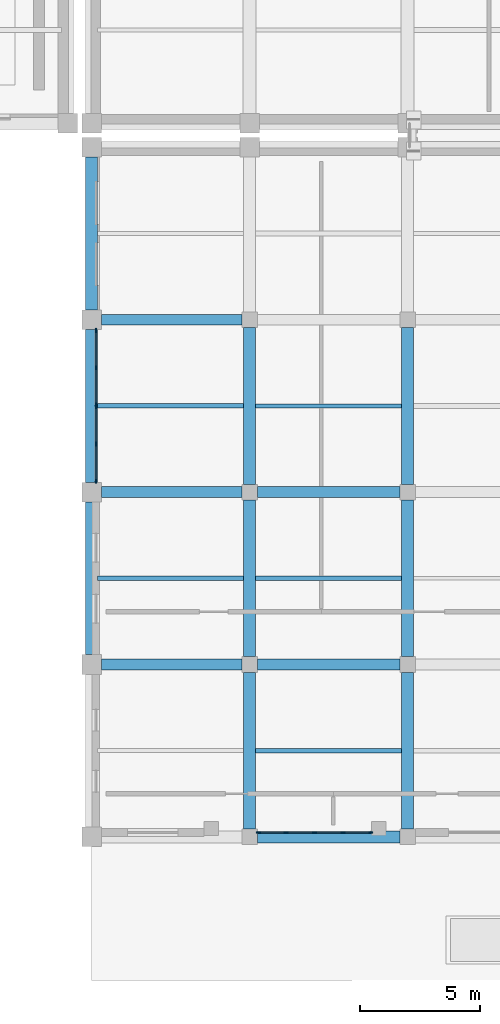
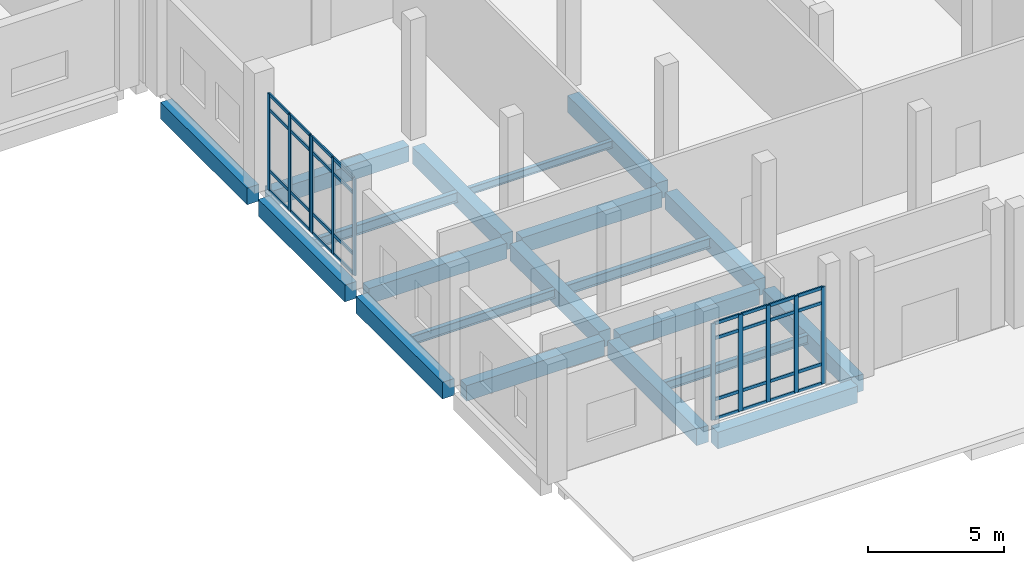
# One storey, part 12 of 79: 43 members, 20 beams, 3 elements without a shape of their own.
"""IFC4 building model written with IfcOpenShell, lengths in metres."""

from ifc_helpers import new_model, si_unit, direction, frame, origin, origin_2d, place, context, subcontext, project, spatial, rectangle, i_section, extrude, material, layer, layer_set, material_profile, profile_set, type_object, element, aggregate, save


model = new_model("IFC4")

# Units and contexts
model_context = context("Model", 3, precision=1e-05, world=origin(), true_north=direction((0.0, 1.0)))
body_context = subcontext(model_context, "Body", "Model", "MODEL_VIEW")
ifc_project = project(units=[si_unit("LENGTHUNIT", "METRE"), si_unit("AREAUNIT", "SQUARE_METRE"), si_unit("VOLUMEUNIT", "CUBIC_METRE"), si_unit("PLANEANGLEUNIT", "RADIAN"), si_unit("MASSUNIT", "GRAM", prefix="KILO")], contexts=[model_context])

# Site, building, storey
site_placement = place(None, origin())
site = spatial("IfcSite", under=ifc_project, at=site_placement, CompositionType="ELEMENT")
building_placement = place(site_placement, origin())
building = spatial("IfcBuilding", under=site, at=building_placement, Name="Kelarvand Opera House", CompositionType="ELEMENT")
storey_placement = place(building_placement, origin())
storey = spatial("IfcBuildingStorey", under=building, at=storey_placement, Name="L00", CompositionType="ELEMENT", Elevation=0.0)

# Curtain wall, members
ifc_material_1 = material(Name="Thermally broken aluminium and low-E glazing", Category="aluminium")
ifc_layer_1 = layer(ifc_material_1, 0.179931640625, Name="Thermally broken aluminium and low-E glazing", Category="aluminium")
ifc_layer_set_1 = layer_set([ifc_layer_1], Name="Thermally broken aluminium and low-E glazing")
curtain_wall_type_1 = type_object("IfcCurtainWallType", Name="Unitised Low-E Curtain Wall 4755x4350 Mod 1350 CWF-52", PredefinedType="USERDEFINED", material=ifc_layer_set_1)
curtain_wall_1_placement = place(storey_placement, origin())
curtain_wall_1 = element("IfcCurtainWall", 1, at=curtain_wall_1_placement, inside=storey, type_object=curtain_wall_type_1, Name="V6 L00 Curtain Wall CWF-52 (199)", ObjectType="UNITISED CURTAIN WALL", PredefinedType="USERDEFINED")
ifc_material_2 = material(Name="Thermally broken anodised aluminium", Category="aluminium")
ifc_material_profile_1 = material_profile(ifc_material_2, rectangle(XDim=0.06494140625, YDim=0.179931640625, at=origin_2d()), Name="ALU MULLION 65x180", Category="aluminium")
ifc_profile_set_1 = profile_set([ifc_material_profile_1], Name="Thermally broken anodised aluminium")
member_type_1 = type_object("IfcMemberType", Name="Curtain Wall Mullion 65x180 Aluminium", PredefinedType="MULLION", material=ifc_profile_set_1)
member_1_placement = place(storey_placement, frame((100.657470703125, 9.179931640625, 0.0), z_axis=(0.0, 0.0, 1.0), x_axis=(0.0, -1.0, 0.0)))
member_1 = element("IfcMember", 2, at=member_1_placement, type_object=member_type_1, Name="CWF-52 mullion 1", PredefinedType="MULLION", context=body_context, shape_type="SweptSolid", body=[
    extrude(rectangle(XDim=0.06494140625, YDim=0.179931640625, at=origin_2d()), origin(), (0.0, 0.0, 1.0), 4.35009765625),
])
member_2_placement = place(storey_placement, frame((99.501220703125, 9.179931640625, 0.0), z_axis=(0.0, 0.0, 1.0), x_axis=(0.0, -1.0, 0.0)))
member_2 = element("IfcMember", 3, at=member_2_placement, type_object=member_type_1, Name="CWF-52 mullion 2", PredefinedType="MULLION", context=body_context, shape_type="SweptSolid", body=[
    extrude(rectangle(XDim=0.06494140625, YDim=0.179931640625, at=origin_2d()), origin(), (0.0, 0.0, 1.0), 4.35009765625),
])
member_3_placement = place(storey_placement, frame((98.3125, 9.179931640625, 0.0), z_axis=(0.0, 0.0, 1.0), x_axis=(0.0, -1.0, 0.0)))
member_3 = element("IfcMember", 4, at=member_3_placement, type_object=member_type_1, Name="CWF-52 mullion 3", PredefinedType="MULLION", context=body_context, shape_type="SweptSolid", body=[
    extrude(rectangle(XDim=0.06494140625, YDim=0.179931640625, at=origin_2d()), origin(), (0.0, 0.0, 1.0), 4.35009765625),
])
member_4_placement = place(storey_placement, frame((97.123779296875, 9.179931640625, 0.0), z_axis=(0.0, 0.0, 1.0), x_axis=(0.0, -1.0, 0.0)))
member_4 = element("IfcMember", 5, at=member_4_placement, type_object=member_type_1, Name="CWF-52 mullion 4", PredefinedType="MULLION", context=body_context, shape_type="SweptSolid", body=[
    extrude(rectangle(XDim=0.06494140625, YDim=0.179931640625, at=origin_2d()), origin(), (0.0, 0.0, 1.0), 4.35009765625),
])
member_5_placement = place(storey_placement, frame((95.967529296875, 9.179931640625, 0.0), z_axis=(0.0, 0.0, 1.0), x_axis=(0.0, -1.0, 0.0)))
member_5 = element("IfcMember", 6, at=member_5_placement, type_object=member_type_1, Name="CWF-52 mullion 5", PredefinedType="MULLION", context=body_context, shape_type="SweptSolid", body=[
    extrude(rectangle(XDim=0.06494140625, YDim=0.179931640625, at=origin_2d()), origin(), (0.0, 0.0, 1.0), 4.35009765625),
])

ifc_layer_2 = layer(ifc_material_1, 0.179931640625, Name="Thermally broken aluminium and low-E glazing", Category="aluminium")
ifc_layer_set_2 = layer_set([ifc_layer_2], Name="Thermally broken aluminium and low-E glazing")
curtain_wall_type_2 = type_object("IfcCurtainWallType", Name="Unitised Low-E Curtain Wall 3176x4350 Mod 1350 CWF-09", PredefinedType="USERDEFINED", material=ifc_layer_set_2)
curtain_wall_2_placement = place(storey_placement, origin())
curtain_wall_2 = element("IfcCurtainWall", 7, at=curtain_wall_2_placement, inside=storey, type_object=curtain_wall_type_2, Name="V6 L00 Curtain Wall CWF-09 (200)", ObjectType="UNITISED CURTAIN WALL", PredefinedType="USERDEFINED")
member_6_placement = place(storey_placement, frame((89.179931640625, 23.8525390625, 0.0), z_axis=(0.0, 0.0, 1.0), x_axis=(-1.0, 0.0, 0.0)))
member_6 = element("IfcMember", 8, at=member_6_placement, type_object=member_type_1, Name="CWF-09 mullion 1", PredefinedType="MULLION", context=body_context, shape_type="SweptSolid", body=[
    extrude(rectangle(XDim=0.06494140625, YDim=0.179931640625, at=origin_2d()), origin(), (0.0, 0.0, 1.0), 4.35009765625),
])
member_7_placement = place(storey_placement, frame((89.179931640625, 25.407958984375, 0.0), z_axis=(0.0, 0.0, 1.0), x_axis=(-1.0, 0.0, 0.0)))
member_7 = element("IfcMember", 9, at=member_7_placement, type_object=member_type_1, Name="CWF-09 mullion 2", PredefinedType="MULLION", context=body_context, shape_type="SweptSolid", body=[
    extrude(rectangle(XDim=0.06494140625, YDim=0.179931640625, at=origin_2d()), origin(), (0.0, 0.0, 1.0), 4.35009765625),
])
member_8_placement = place(storey_placement, frame((89.179931640625, 26.96337890625, 0.0), z_axis=(0.0, 0.0, 1.0), x_axis=(-1.0, 0.0, 0.0)))
member_8 = element("IfcMember", 10, at=member_8_placement, type_object=member_type_1, Name="CWF-09 mullion 3", PredefinedType="MULLION", context=body_context, shape_type="SweptSolid", body=[
    extrude(rectangle(XDim=0.06494140625, YDim=0.179931640625, at=origin_2d()), origin(), (0.0, 0.0, 1.0), 4.35009765625),
])

curtain_wall_3_placement = place(storey_placement, origin())
curtain_wall_3 = element("IfcCurtainWall", 11, at=curtain_wall_3_placement, inside=storey, type_object=curtain_wall_type_2, Name="V6 L00 Curtain Wall CWF-09 (201)", ObjectType="UNITISED CURTAIN WALL", PredefinedType="USERDEFINED")
member_9_placement = place(storey_placement, frame((89.179931640625, 27.032470703125, 0.0), z_axis=(0.0, 0.0, 1.0), x_axis=(-1.0, 0.0, 0.0)))
member_9 = element("IfcMember", 12, at=member_9_placement, type_object=member_type_1, Name="CWF-09 mullion 1", PredefinedType="MULLION", context=body_context, shape_type="SweptSolid", body=[
    extrude(rectangle(XDim=0.06494140625, YDim=0.179931640625, at=origin_2d()), origin(), (0.0, 0.0, 1.0), 4.35009765625),
])
member_10_placement = place(storey_placement, frame((89.179931640625, 28.590087890625, 0.0), z_axis=(0.0, 0.0, 1.0), x_axis=(-1.0, 0.0, 0.0)))
member_10 = element("IfcMember", 13, at=member_10_placement, type_object=member_type_1, Name="CWF-09 mullion 2", PredefinedType="MULLION", context=body_context, shape_type="SweptSolid", body=[
    extrude(rectangle(XDim=0.06494140625, YDim=0.179931640625, at=origin_2d()), origin(), (0.0, 0.0, 1.0), 4.35009765625),
])
member_11_placement = place(storey_placement, frame((89.179931640625, 30.1474609375, 0.0), z_axis=(0.0, 0.0, 1.0), x_axis=(-1.0, 0.0, 0.0)))
member_11 = element("IfcMember", 14, at=member_11_placement, type_object=member_type_1, Name="CWF-09 mullion 3", PredefinedType="MULLION", context=body_context, shape_type="SweptSolid", body=[
    extrude(rectangle(XDim=0.06494140625, YDim=0.179931640625, at=origin_2d()), origin(), (0.0, 0.0, 1.0), 4.35009765625),
])

# Member
ifc_material_profile_2 = material_profile(ifc_material_2, rectangle(XDim=0.06494140625, YDim=0.139892578125, at=origin_2d()), Name="ALU TRANSOM 65x140", Category="aluminium")
ifc_profile_set_2 = profile_set([ifc_material_profile_2], Name="Thermally broken anodised aluminium")
member_type_2 = type_object("IfcMemberType", Name="Curtain Wall Transom 65x140 Aluminium", PredefinedType="USERDEFINED", material=ifc_profile_set_2)
member_12_placement = place(storey_placement, frame((100.625, 9.179931640625, 0.032470703125), z_axis=(-1.0, 0.0, 0.0), x_axis=(0.0, -1.0, 0.0)))
member_12 = element("IfcMember", 15, at=member_12_placement, type_object=member_type_2, Name="CWF-52 transom 1.1", ObjectType="TRANSOM", PredefinedType="USERDEFINED", context=body_context, shape_type="SweptSolid", body=[
    extrude(rectangle(XDim=0.06494140625, YDim=0.139892578125, at=origin_2d()), origin(), (0.0, 0.0, 1.0), 1.09130859375),
])

member_13_placement = place(storey_placement, frame((100.625, 9.179931640625, 0.89990234375), z_axis=(-1.0, 0.0, 0.0), x_axis=(0.0, -1.0, 0.0)))
member_13 = element("IfcMember", 16, at=member_13_placement, type_object=member_type_2, Name="CWF-52 transom 1.2", ObjectType="TRANSOM", PredefinedType="USERDEFINED", context=body_context, shape_type="SweptSolid", body=[
    extrude(rectangle(XDim=0.06494140625, YDim=0.139892578125, at=origin_2d()), origin(), (0.0, 0.0, 1.0), 1.09130859375),
])

member_14_placement = place(storey_placement, frame((100.625, 9.179931640625, 3.64990234375), z_axis=(-1.0, 0.0, 0.0), x_axis=(0.0, -1.0, 0.0)))
member_14 = element("IfcMember", 17, at=member_14_placement, type_object=member_type_2, Name="CWF-52 transom 1.3", ObjectType="TRANSOM", PredefinedType="USERDEFINED", context=body_context, shape_type="SweptSolid", body=[
    extrude(rectangle(XDim=0.06494140625, YDim=0.139892578125, at=origin_2d()), origin(), (0.0, 0.0, 1.0), 1.09130859375),
])

member_15_placement = place(storey_placement, frame((100.625, 9.179931640625, 4.3173828125), z_axis=(-1.0, 0.0, 0.0), x_axis=(0.0, -1.0, 0.0)))
member_15 = element("IfcMember", 18, at=member_15_placement, type_object=member_type_2, Name="CWF-52 transom 1.4", ObjectType="TRANSOM", PredefinedType="USERDEFINED", context=body_context, shape_type="SweptSolid", body=[
    extrude(rectangle(XDim=0.06494140625, YDim=0.139892578125, at=origin_2d()), origin(), (0.0, 0.0, 1.0), 1.09130859375),
])

member_16_placement = place(storey_placement, frame((99.46875, 9.179931640625, 0.032470703125), z_axis=(-1.0, 0.0, 0.0), x_axis=(0.0, -1.0, 0.0)))
member_16 = element("IfcMember", 19, at=member_16_placement, type_object=member_type_2, Name="CWF-52 transom 2.1", ObjectType="TRANSOM", PredefinedType="USERDEFINED", context=body_context, shape_type="SweptSolid", body=[
    extrude(rectangle(XDim=0.06494140625, YDim=0.139892578125, at=origin_2d()), origin(), (0.0, 0.0, 1.0), 1.123779296875),
])

member_17_placement = place(storey_placement, frame((99.46875, 9.179931640625, 0.89990234375), z_axis=(-1.0, 0.0, 0.0), x_axis=(0.0, -1.0, 0.0)))
member_17 = element("IfcMember", 20, at=member_17_placement, type_object=member_type_2, Name="CWF-52 transom 2.2", ObjectType="TRANSOM", PredefinedType="USERDEFINED", context=body_context, shape_type="SweptSolid", body=[
    extrude(rectangle(XDim=0.06494140625, YDim=0.139892578125, at=origin_2d()), origin(), (0.0, 0.0, 1.0), 1.123779296875),
])

member_18_placement = place(storey_placement, frame((99.46875, 9.179931640625, 3.64990234375), z_axis=(-1.0, 0.0, 0.0), x_axis=(0.0, -1.0, 0.0)))
member_18 = element("IfcMember", 21, at=member_18_placement, type_object=member_type_2, Name="CWF-52 transom 2.3", ObjectType="TRANSOM", PredefinedType="USERDEFINED", context=body_context, shape_type="SweptSolid", body=[
    extrude(rectangle(XDim=0.06494140625, YDim=0.139892578125, at=origin_2d()), origin(), (0.0, 0.0, 1.0), 1.123779296875),
])

member_19_placement = place(storey_placement, frame((99.46875, 9.179931640625, 4.3173828125), z_axis=(-1.0, 0.0, 0.0), x_axis=(0.0, -1.0, 0.0)))
member_19 = element("IfcMember", 22, at=member_19_placement, type_object=member_type_2, Name="CWF-52 transom 2.4", ObjectType="TRANSOM", PredefinedType="USERDEFINED", context=body_context, shape_type="SweptSolid", body=[
    extrude(rectangle(XDim=0.06494140625, YDim=0.139892578125, at=origin_2d()), origin(), (0.0, 0.0, 1.0), 1.123779296875),
])

member_20_placement = place(storey_placement, frame((98.280029296875, 9.179931640625, 0.032470703125), z_axis=(-1.0, 0.0, 0.0), x_axis=(0.0, -1.0, 0.0)))
member_20 = element("IfcMember", 23, at=member_20_placement, type_object=member_type_2, Name="CWF-52 transom 3.1", ObjectType="TRANSOM", PredefinedType="USERDEFINED", context=body_context, shape_type="SweptSolid", body=[
    extrude(rectangle(XDim=0.06494140625, YDim=0.139892578125, at=origin_2d()), origin(), (0.0, 0.0, 1.0), 1.123779296875),
])

member_21_placement = place(storey_placement, frame((98.280029296875, 9.179931640625, 0.89990234375), z_axis=(-1.0, 0.0, 0.0), x_axis=(0.0, -1.0, 0.0)))
member_21 = element("IfcMember", 24, at=member_21_placement, type_object=member_type_2, Name="CWF-52 transom 3.2", ObjectType="TRANSOM", PredefinedType="USERDEFINED", context=body_context, shape_type="SweptSolid", body=[
    extrude(rectangle(XDim=0.06494140625, YDim=0.139892578125, at=origin_2d()), origin(), (0.0, 0.0, 1.0), 1.123779296875),
])

member_22_placement = place(storey_placement, frame((98.280029296875, 9.179931640625, 3.64990234375), z_axis=(-1.0, 0.0, 0.0), x_axis=(0.0, -1.0, 0.0)))
member_22 = element("IfcMember", 25, at=member_22_placement, type_object=member_type_2, Name="CWF-52 transom 3.3", ObjectType="TRANSOM", PredefinedType="USERDEFINED", context=body_context, shape_type="SweptSolid", body=[
    extrude(rectangle(XDim=0.06494140625, YDim=0.139892578125, at=origin_2d()), origin(), (0.0, 0.0, 1.0), 1.123779296875),
])

member_23_placement = place(storey_placement, frame((98.280029296875, 9.179931640625, 4.3173828125), z_axis=(-1.0, 0.0, 0.0), x_axis=(0.0, -1.0, 0.0)))
member_23 = element("IfcMember", 26, at=member_23_placement, type_object=member_type_2, Name="CWF-52 transom 3.4", ObjectType="TRANSOM", PredefinedType="USERDEFINED", context=body_context, shape_type="SweptSolid", body=[
    extrude(rectangle(XDim=0.06494140625, YDim=0.139892578125, at=origin_2d()), origin(), (0.0, 0.0, 1.0), 1.123779296875),
])

member_24_placement = place(storey_placement, frame((97.09130859375, 9.179931640625, 0.032470703125), z_axis=(-1.0, 0.0, 0.0), x_axis=(0.0, -1.0, 0.0)))
member_24 = element("IfcMember", 27, at=member_24_placement, type_object=member_type_2, Name="CWF-52 transom 4.1", ObjectType="TRANSOM", PredefinedType="USERDEFINED", context=body_context, shape_type="SweptSolid", body=[
    extrude(rectangle(XDim=0.06494140625, YDim=0.139892578125, at=origin_2d()), origin(), (0.0, 0.0, 1.0), 1.09130859375),
])

member_25_placement = place(storey_placement, frame((97.09130859375, 9.179931640625, 0.89990234375), z_axis=(-1.0, 0.0, 0.0), x_axis=(0.0, -1.0, 0.0)))
member_25 = element("IfcMember", 28, at=member_25_placement, type_object=member_type_2, Name="CWF-52 transom 4.2", ObjectType="TRANSOM", PredefinedType="USERDEFINED", context=body_context, shape_type="SweptSolid", body=[
    extrude(rectangle(XDim=0.06494140625, YDim=0.139892578125, at=origin_2d()), origin(), (0.0, 0.0, 1.0), 1.09130859375),
])

member_26_placement = place(storey_placement, frame((97.09130859375, 9.179931640625, 3.64990234375), z_axis=(-1.0, 0.0, 0.0), x_axis=(0.0, -1.0, 0.0)))
member_26 = element("IfcMember", 29, at=member_26_placement, type_object=member_type_2, Name="CWF-52 transom 4.3", ObjectType="TRANSOM", PredefinedType="USERDEFINED", context=body_context, shape_type="SweptSolid", body=[
    extrude(rectangle(XDim=0.06494140625, YDim=0.139892578125, at=origin_2d()), origin(), (0.0, 0.0, 1.0), 1.09130859375),
])

member_27_placement = place(storey_placement, frame((97.09130859375, 9.179931640625, 4.3173828125), z_axis=(-1.0, 0.0, 0.0), x_axis=(0.0, -1.0, 0.0)))
member_27 = element("IfcMember", 30, at=member_27_placement, type_object=member_type_2, Name="CWF-52 transom 4.4", ObjectType="TRANSOM", PredefinedType="USERDEFINED", context=body_context, shape_type="SweptSolid", body=[
    extrude(rectangle(XDim=0.06494140625, YDim=0.139892578125, at=origin_2d()), origin(), (0.0, 0.0, 1.0), 1.09130859375),
])

aggregate(curtain_wall_1, [member_1, member_2, member_3, member_4, member_5, member_12, member_13, member_14, member_15, member_16, member_17, member_18, member_19, member_20, member_21, member_22, member_23, member_24, member_25, member_26, member_27])

member_28_placement = place(storey_placement, frame((89.179931640625, 23.885009765625, 0.032470703125), z_axis=(0.0, 1.0, 0.0), x_axis=(-1.0, 0.0, 0.0)))
member_28 = element("IfcMember", 31, at=member_28_placement, type_object=member_type_2, Name="CWF-09 transom 1.1", ObjectType="TRANSOM", PredefinedType="USERDEFINED", context=body_context, shape_type="SweptSolid", body=[
    extrude(rectangle(XDim=0.06494140625, YDim=0.139892578125, at=origin_2d()), origin(), (0.0, 0.0, 1.0), 1.490478515625),
])

member_29_placement = place(storey_placement, frame((89.179931640625, 23.885009765625, 0.89990234375), z_axis=(0.0, 1.0, 0.0), x_axis=(-1.0, 0.0, 0.0)))
member_29 = element("IfcMember", 32, at=member_29_placement, type_object=member_type_2, Name="CWF-09 transom 1.2", ObjectType="TRANSOM", PredefinedType="USERDEFINED", context=body_context, shape_type="SweptSolid", body=[
    extrude(rectangle(XDim=0.06494140625, YDim=0.139892578125, at=origin_2d()), origin(), (0.0, 0.0, 1.0), 1.490478515625),
])

member_30_placement = place(storey_placement, frame((89.179931640625, 23.885009765625, 3.64990234375), z_axis=(0.0, 1.0, 0.0), x_axis=(-1.0, 0.0, 0.0)))
member_30 = element("IfcMember", 33, at=member_30_placement, type_object=member_type_2, Name="CWF-09 transom 1.3", ObjectType="TRANSOM", PredefinedType="USERDEFINED", context=body_context, shape_type="SweptSolid", body=[
    extrude(rectangle(XDim=0.06494140625, YDim=0.139892578125, at=origin_2d()), origin(), (0.0, 0.0, 1.0), 1.490478515625),
])

member_31_placement = place(storey_placement, frame((89.179931640625, 23.885009765625, 4.3173828125), z_axis=(0.0, 1.0, 0.0), x_axis=(-1.0, 0.0, 0.0)))
member_31 = element("IfcMember", 34, at=member_31_placement, type_object=member_type_2, Name="CWF-09 transom 1.4", ObjectType="TRANSOM", PredefinedType="USERDEFINED", context=body_context, shape_type="SweptSolid", body=[
    extrude(rectangle(XDim=0.06494140625, YDim=0.139892578125, at=origin_2d()), origin(), (0.0, 0.0, 1.0), 1.490478515625),
])

member_32_placement = place(storey_placement, frame((89.179931640625, 25.4404296875, 0.032470703125), z_axis=(0.0, 1.0, 0.0), x_axis=(-1.0, 0.0, 0.0)))
member_32 = element("IfcMember", 35, at=member_32_placement, type_object=member_type_2, Name="CWF-09 transom 2.1", ObjectType="TRANSOM", PredefinedType="USERDEFINED", context=body_context, shape_type="SweptSolid", body=[
    extrude(rectangle(XDim=0.06494140625, YDim=0.139892578125, at=origin_2d()), origin(), (0.0, 0.0, 1.0), 1.490478515625),
])

member_33_placement = place(storey_placement, frame((89.179931640625, 25.4404296875, 0.89990234375), z_axis=(0.0, 1.0, 0.0), x_axis=(-1.0, 0.0, 0.0)))
member_33 = element("IfcMember", 36, at=member_33_placement, type_object=member_type_2, Name="CWF-09 transom 2.2", ObjectType="TRANSOM", PredefinedType="USERDEFINED", context=body_context, shape_type="SweptSolid", body=[
    extrude(rectangle(XDim=0.06494140625, YDim=0.139892578125, at=origin_2d()), origin(), (0.0, 0.0, 1.0), 1.490478515625),
])

member_34_placement = place(storey_placement, frame((89.179931640625, 25.4404296875, 3.64990234375), z_axis=(0.0, 1.0, 0.0), x_axis=(-1.0, 0.0, 0.0)))
member_34 = element("IfcMember", 37, at=member_34_placement, type_object=member_type_2, Name="CWF-09 transom 2.3", ObjectType="TRANSOM", PredefinedType="USERDEFINED", context=body_context, shape_type="SweptSolid", body=[
    extrude(rectangle(XDim=0.06494140625, YDim=0.139892578125, at=origin_2d()), origin(), (0.0, 0.0, 1.0), 1.490478515625),
])

member_35_placement = place(storey_placement, frame((89.179931640625, 25.4404296875, 4.3173828125), z_axis=(0.0, 1.0, 0.0), x_axis=(-1.0, 0.0, 0.0)))
member_35 = element("IfcMember", 38, at=member_35_placement, type_object=member_type_2, Name="CWF-09 transom 2.4", ObjectType="TRANSOM", PredefinedType="USERDEFINED", context=body_context, shape_type="SweptSolid", body=[
    extrude(rectangle(XDim=0.06494140625, YDim=0.139892578125, at=origin_2d()), origin(), (0.0, 0.0, 1.0), 1.490478515625),
])

aggregate(curtain_wall_2, [member_6, member_7, member_8, member_28, member_29, member_30, member_31, member_32, member_33, member_34, member_35])

member_36_placement = place(storey_placement, frame((89.179931640625, 27.06494140625, 0.032470703125), z_axis=(0.0, 1.0, 0.0), x_axis=(-1.0, 0.0, 0.0)))
member_36 = element("IfcMember", 39, at=member_36_placement, type_object=member_type_2, Name="CWF-09 transom 1.1", ObjectType="TRANSOM", PredefinedType="USERDEFINED", context=body_context, shape_type="SweptSolid", body=[
    extrude(rectangle(XDim=0.06494140625, YDim=0.139892578125, at=origin_2d()), origin(), (0.0, 0.0, 1.0), 1.49267578125),
])

member_37_placement = place(storey_placement, frame((89.179931640625, 27.06494140625, 0.89990234375), z_axis=(0.0, 1.0, 0.0), x_axis=(-1.0, 0.0, 0.0)))
member_37 = element("IfcMember", 40, at=member_37_placement, type_object=member_type_2, Name="CWF-09 transom 1.2", ObjectType="TRANSOM", PredefinedType="USERDEFINED", context=body_context, shape_type="SweptSolid", body=[
    extrude(rectangle(XDim=0.06494140625, YDim=0.139892578125, at=origin_2d()), origin(), (0.0, 0.0, 1.0), 1.49267578125),
])

member_38_placement = place(storey_placement, frame((89.179931640625, 27.06494140625, 3.64990234375), z_axis=(0.0, 1.0, 0.0), x_axis=(-1.0, 0.0, 0.0)))
member_38 = element("IfcMember", 41, at=member_38_placement, type_object=member_type_2, Name="CWF-09 transom 1.3", ObjectType="TRANSOM", PredefinedType="USERDEFINED", context=body_context, shape_type="SweptSolid", body=[
    extrude(rectangle(XDim=0.06494140625, YDim=0.139892578125, at=origin_2d()), origin(), (0.0, 0.0, 1.0), 1.49267578125),
])

member_39_placement = place(storey_placement, frame((89.179931640625, 27.06494140625, 4.3173828125), z_axis=(0.0, 1.0, 0.0), x_axis=(-1.0, 0.0, 0.0)))
member_39 = element("IfcMember", 42, at=member_39_placement, type_object=member_type_2, Name="CWF-09 transom 1.4", ObjectType="TRANSOM", PredefinedType="USERDEFINED", context=body_context, shape_type="SweptSolid", body=[
    extrude(rectangle(XDim=0.06494140625, YDim=0.139892578125, at=origin_2d()), origin(), (0.0, 0.0, 1.0), 1.49267578125),
])

member_40_placement = place(storey_placement, frame((89.179931640625, 28.62255859375, 0.032470703125), z_axis=(0.0, 1.0, 0.0), x_axis=(-1.0, 0.0, 0.0)))
member_40 = element("IfcMember", 43, at=member_40_placement, type_object=member_type_2, Name="CWF-09 transom 2.1", ObjectType="TRANSOM", PredefinedType="USERDEFINED", context=body_context, shape_type="SweptSolid", body=[
    extrude(rectangle(XDim=0.06494140625, YDim=0.139892578125, at=origin_2d()), origin(), (0.0, 0.0, 1.0), 1.492431640625),
])

member_41_placement = place(storey_placement, frame((89.179931640625, 28.62255859375, 0.89990234375), z_axis=(0.0, 1.0, 0.0), x_axis=(-1.0, 0.0, 0.0)))
member_41 = element("IfcMember", 44, at=member_41_placement, type_object=member_type_2, Name="CWF-09 transom 2.2", ObjectType="TRANSOM", PredefinedType="USERDEFINED", context=body_context, shape_type="SweptSolid", body=[
    extrude(rectangle(XDim=0.06494140625, YDim=0.139892578125, at=origin_2d()), origin(), (0.0, 0.0, 1.0), 1.492431640625),
])

member_42_placement = place(storey_placement, frame((89.179931640625, 28.62255859375, 3.64990234375), z_axis=(0.0, 1.0, 0.0), x_axis=(-1.0, 0.0, 0.0)))
member_42 = element("IfcMember", 45, at=member_42_placement, type_object=member_type_2, Name="CWF-09 transom 2.3", ObjectType="TRANSOM", PredefinedType="USERDEFINED", context=body_context, shape_type="SweptSolid", body=[
    extrude(rectangle(XDim=0.06494140625, YDim=0.139892578125, at=origin_2d()), origin(), (0.0, 0.0, 1.0), 1.492431640625),
])

member_43_placement = place(storey_placement, frame((89.179931640625, 28.62255859375, 4.3173828125), z_axis=(0.0, 1.0, 0.0), x_axis=(-1.0, 0.0, 0.0)))
member_43 = element("IfcMember", 46, at=member_43_placement, type_object=member_type_2, Name="CWF-09 transom 2.4", ObjectType="TRANSOM", PredefinedType="USERDEFINED", context=body_context, shape_type="SweptSolid", body=[
    extrude(rectangle(XDim=0.06494140625, YDim=0.139892578125, at=origin_2d()), origin(), (0.0, 0.0, 1.0), 1.492431640625),
])

aggregate(curtain_wall_3, [member_9, member_10, member_11, member_36, member_37, member_38, member_39, member_40, member_41, member_42, member_43])

# Beams
ifc_material_3 = material(Name="Concrete C40/50", Category="concrete")
ifc_material_profile_3 = material_profile(ifc_material_3, rectangle(XDim=0.449951171875, YDim=0.699951171875, at=origin_2d()), Name="RC 450x700", Category="concrete")
ifc_profile_set_3 = profile_set([ifc_material_profile_3], Name="Concrete C40/50")
beam_type_1 = type_object("IfcBeamType", Name="Structural Beam RC 450x700 BM-RC450x700", PredefinedType="BEAM", material=ifc_profile_set_3)
beam_1_placement = place(storey_placement, frame((89.409912109375, 16.199951171875, -0.64990234375), z_axis=(1.0, 0.0, 0.0), x_axis=(0.0, 1.0, 0.0)))
element("IfcBeam", 47, at=beam_1_placement, inside=storey, type_object=beam_type_1, Name="V6 L00 Beam BM-RC450x700", PredefinedType="BEAM", context=body_context, shape_type="SweptSolid", body=[
    extrude(rectangle(XDim=0.449951171875, YDim=0.699951171875, at=origin_2d()), origin(), (0.0, 0.0, 1.0), 5.864990234375),
])
beam_2_placement = place(storey_placement, frame((95.925048828125, 16.199951171875, -0.64990234375), z_axis=(1.0, 0.0, 0.0), x_axis=(0.0, 1.0, 0.0)))
element("IfcBeam", 48, at=beam_2_placement, inside=storey, type_object=beam_type_1, Name="V6 L00 Beam BM-RC450x700", PredefinedType="BEAM", context=body_context, shape_type="SweptSolid", body=[
    extrude(rectangle(XDim=0.449951171875, YDim=0.699951171875, at=origin_2d()), origin(), (0.0, 0.0, 1.0), 5.949951171875),
])
beam_3_placement = place(storey_placement, frame((89.409912109375, 23.39990234375, -0.64990234375), z_axis=(1.0, 0.0, 0.0), x_axis=(0.0, 1.0, 0.0)))
element("IfcBeam", 49, at=beam_3_placement, inside=storey, type_object=beam_type_1, Name="V6 L00 Beam BM-RC450x700", PredefinedType="BEAM", context=body_context, shape_type="SweptSolid", body=[
    extrude(rectangle(XDim=0.449951171875, YDim=0.699951171875, at=origin_2d()), origin(), (0.0, 0.0, 1.0), 5.864990234375),
])
beam_4_placement = place(storey_placement, frame((95.925048828125, 23.39990234375, -0.64990234375), z_axis=(1.0, 0.0, 0.0), x_axis=(0.0, 1.0, 0.0)))
element("IfcBeam", 50, at=beam_4_placement, inside=storey, type_object=beam_type_1, Name="V6 L00 Beam BM-RC450x700", PredefinedType="BEAM", context=body_context, shape_type="SweptSolid", body=[
    extrude(rectangle(XDim=0.449951171875, YDim=0.699951171875, at=origin_2d()), origin(), (0.0, 0.0, 1.0), 5.949951171875),
])
beam_5_placement = place(storey_placement, frame((89.409912109375, 30.60009765625, -0.64990234375), z_axis=(1.0, 0.0, 0.0), x_axis=(0.0, 1.0, 0.0)))
element("IfcBeam", 51, at=beam_5_placement, inside=storey, type_object=beam_type_1, Name="V6 L00 Beam BM-RC450x700", PredefinedType="BEAM", context=body_context, shape_type="SweptSolid", body=[
    extrude(rectangle(XDim=0.449951171875, YDim=0.699951171875, at=origin_2d()), origin(), (0.0, 0.0, 1.0), 5.864990234375),
])
ifc_material_profile_4 = material_profile(ifc_material_3, rectangle(XDim=0.5, YDim=0.75, at=origin_2d()), Name="RC 500x750", Category="concrete")
ifc_profile_set_4 = profile_set([ifc_material_profile_4], Name="Concrete C40/50")
beam_type_2 = type_object("IfcBeamType", Name="Structural Beam RC 500x750 BM-RC500x750", PredefinedType="BEAM", material=ifc_profile_set_4)
for number, where, z_axis, x_axis, name in (
    (52, (95.60009765625, 9.324951171875, -0.675048828125), (0.0, 1.0, 0.0), (-1.0, 0.0, 0.0), "V6 L00 Beam BM-RC500x750"),
    (53, (95.60009765625, 16.52490234375, -0.675048828125), (0.0, 1.0, 0.0), (-1.0, 0.0, 0.0), "V6 L00 Beam BM-RC500x750"),
):
    element("IfcBeam", number, at=place(storey_placement, frame(where, z_axis=z_axis, x_axis=x_axis)), inside=storey, type_object=beam_type_2, Name=name, PredefinedType="BEAM", context=body_context, shape_type="SweptSolid", body=[
        extrude(rectangle(XDim=0.5, YDim=0.75, at=origin_2d()), origin(), (0.0, 0.0, 1.0), 6.550048828125),
    ])
beam_6_placement = place(storey_placement, frame((95.60009765625, 23.72509765625, -0.675048828125), z_axis=(0.0, 1.0, 0.0), x_axis=(-1.0, 0.0, 0.0)))
element("IfcBeam", 54, at=beam_6_placement, inside=storey, type_object=beam_type_2, Name="V6 L00 Beam BM-RC500x750", PredefinedType="BEAM", context=body_context, shape_type="SweptSolid", body=[
    extrude(rectangle(XDim=0.5, YDim=0.75, at=origin_2d()), origin(), (0.0, 0.0, 1.0), 6.5498046875),
])
for number, where, z_axis, x_axis, name in (
    (55, (102.199951171875, 9.324951171875, -0.675048828125), (0.0, 1.0, 0.0), (-1.0, 0.0, 0.0), "V6 L00 Beam BM-RC500x750"),
    (56, (102.199951171875, 16.52490234375, -0.675048828125), (0.0, 1.0, 0.0), (-1.0, 0.0, 0.0), "V6 L00 Beam BM-RC500x750"),
):
    element("IfcBeam", number, at=place(storey_placement, frame(where, z_axis=z_axis, x_axis=x_axis)), inside=storey, type_object=beam_type_2, Name=name, PredefinedType="BEAM", context=body_context, shape_type="SweptSolid", body=[
        extrude(rectangle(XDim=0.5, YDim=0.75, at=origin_2d()), origin(), (0.0, 0.0, 1.0), 6.550048828125),
    ])
beam_7_placement = place(storey_placement, frame((102.199951171875, 23.72509765625, -0.675048828125), z_axis=(0.0, 1.0, 0.0), x_axis=(-1.0, 0.0, 0.0)))
element("IfcBeam", 57, at=beam_7_placement, inside=storey, type_object=beam_type_2, Name="V6 L00 Beam BM-RC500x750", PredefinedType="BEAM", context=body_context, shape_type="SweptSolid", body=[
    extrude(rectangle(XDim=0.5, YDim=0.75, at=origin_2d()), origin(), (0.0, 0.0, 1.0), 6.5498046875),
])
ifc_material_4 = material(Name="Steel S355", Category="steel")
ifc_material_profile_5 = material_profile(ifc_material_4, i_section(OverallWidth=0.159912109375, OverallDepth=0.330078125, WebThickness=0.007568359375, FlangeThickness=0.011474609375, at=origin_2d()), Name="IPE 330", Category="steel")
ifc_profile_set_5 = profile_set([ifc_material_profile_5], Name="Steel S355")
beam_type_3 = type_object("IfcBeamType", Name="Structural Joist IPE 330 JS-IPE330", PredefinedType="JOIST", material=ifc_profile_set_5)
beam_8_placement = place(storey_placement, frame((95.85009765625, 27.0, -0.465087890625), z_axis=(1.0, 0.0, 0.0), x_axis=(0.0, 1.0, 0.0)))
element("IfcBeam", 58, at=beam_8_placement, inside=storey, type_object=beam_type_3, Name="V6 L00 Beam JS-IPE330", PredefinedType="JOIST", context=body_context, shape_type="SweptSolid", body=[
    extrude(i_section(OverallWidth=0.159912109375, OverallDepth=0.330078125, WebThickness=0.007568359375, FlangeThickness=0.011474609375, at=origin_2d()), origin(), (0.0, 0.0, 1.0), 6.099853515625),
])
ifc_material_profile_6 = material_profile(ifc_material_4, i_section(OverallWidth=0.179931640625, OverallDepth=0.39990234375, WebThickness=0.008544921875, FlangeThickness=0.013427734375, at=origin_2d()), Name="IPE 400", Category="steel")
ifc_profile_set_6 = profile_set([ifc_material_profile_6], Name="Steel S355")
beam_type_4 = type_object("IfcBeamType", Name="Structural Joist IPE 400 JS-IPE400", PredefinedType="JOIST", material=ifc_profile_set_6)
beam_9_placement = place(storey_placement, frame((89.25, 19.800048828125, -0.5), z_axis=(1.0, 0.0, 0.0), x_axis=(0.0, 1.0, 0.0)))
element("IfcBeam", 59, at=beam_9_placement, inside=storey, type_object=beam_type_4, Name="V6 L00 Beam JS-IPE400", PredefinedType="JOIST", context=body_context, shape_type="SweptSolid", body=[
    extrude(i_section(OverallWidth=0.179931640625, OverallDepth=0.39990234375, WebThickness=0.008544921875, FlangeThickness=0.013427734375, at=origin_2d()), origin(), (0.0, 0.0, 1.0), 6.10009765625),
])
beam_10_placement = place(storey_placement, frame((95.85009765625, 12.60009765625, -0.5), z_axis=(1.0, 0.0, 0.0), x_axis=(0.0, 1.0, 0.0)))
element("IfcBeam", 60, at=beam_10_placement, inside=storey, type_object=beam_type_4, Name="V6 L00 Beam JS-IPE400", PredefinedType="JOIST", context=body_context, shape_type="SweptSolid", body=[
    extrude(i_section(OverallWidth=0.179931640625, OverallDepth=0.39990234375, WebThickness=0.008544921875, FlangeThickness=0.013427734375, at=origin_2d()), origin(), (0.0, 0.0, 1.0), 6.099853515625),
])
ifc_material_profile_7 = material_profile(ifc_material_4, i_section(OverallWidth=0.18994140625, OverallDepth=0.449951171875, WebThickness=0.009521484375, FlangeThickness=0.0146484375, at=origin_2d()), Name="IPE 450", Category="steel")
ifc_profile_set_7 = profile_set([ifc_material_profile_7], Name="Steel S355")
beam_type_5 = type_object("IfcBeamType", Name="Structural Joist IPE 450 JS-IPE450", PredefinedType="JOIST", material=ifc_profile_set_7)
beam_11_placement = place(storey_placement, frame((89.25, 27.0, -0.52490234375), z_axis=(1.0, 0.0, 0.0), x_axis=(0.0, 1.0, 0.0)))
element("IfcBeam", 61, at=beam_11_placement, inside=storey, type_object=beam_type_5, Name="V6 L00 Beam JS-IPE450", PredefinedType="JOIST", context=body_context, shape_type="SweptSolid", body=[
    extrude(i_section(OverallWidth=0.18994140625, OverallDepth=0.449951171875, WebThickness=0.009521484375, FlangeThickness=0.0146484375, at=origin_2d()), origin(), (0.0, 0.0, 1.0), 6.10009765625),
])
beam_12_placement = place(storey_placement, frame((95.85009765625, 19.800048828125, -0.52490234375), z_axis=(1.0, 0.0, 0.0), x_axis=(0.0, 1.0, 0.0)))
element("IfcBeam", 62, at=beam_12_placement, inside=storey, type_object=beam_type_5, Name="V6 L00 Beam JS-IPE450", PredefinedType="JOIST", context=body_context, shape_type="SweptSolid", body=[
    extrude(i_section(OverallWidth=0.18994140625, OverallDepth=0.449951171875, WebThickness=0.009521484375, FlangeThickness=0.0146484375, at=origin_2d()), origin(), (0.0, 0.0, 1.0), 6.099853515625),
])
ifc_material_profile_8 = material_profile(ifc_material_3, rectangle(XDim=0.5, YDim=0.75, at=origin_2d()), Name="RC 500x750", Category="concrete")
ifc_profile_set_8 = profile_set([ifc_material_profile_8], Name="Concrete C40/50")
beam_type_6 = type_object("IfcBeamType", Name="Structural Spandrel RC 500x750 SP-RC500x750E", PredefinedType="SPANDREL", material=ifc_profile_set_8)
beam_13_placement = place(storey_placement, frame((95.925048828125, 9.0, -0.675048828125), z_axis=(1.0, 0.0, 0.0), x_axis=(0.0, 1.0, 0.0)))
element("IfcBeam", 63, at=beam_13_placement, inside=storey, type_object=beam_type_6, Name="V6 L00 Beam SP-RC500x750E", PredefinedType="SPANDREL", context=body_context, shape_type="SweptSolid", body=[
    extrude(rectangle(XDim=0.5, YDim=0.75, at=origin_2d()), origin(), (0.0, 0.0, 1.0), 5.949951171875),
])
for number, where, z_axis, x_axis, name in (
    (64, (89.0, 16.610107421875, -0.675048828125), (0.0, 1.0, 0.0), (-1.0, 0.0, 0.0), "V6 L00 Beam SP-RC500x750E"),
    (65, (89.0, 23.81005859375, -0.675048828125), (0.0, 1.0, 0.0), (-1.0, 0.0, 0.0), "V6 L00 Beam SP-RC500x750E"),
    (66, (89.0, 31.010009765625, -0.675048828125), (0.0, 1.0, 0.0), (-1.0, 0.0, 0.0), "V6 L00 Beam SP-RC500x750E"),
):
    element("IfcBeam", number, at=place(storey_placement, frame(where, z_axis=z_axis, x_axis=x_axis)), inside=storey, type_object=beam_type_6, Name=name, PredefinedType="SPANDREL", context=body_context, shape_type="SweptSolid", body=[
        extrude(rectangle(XDim=0.5, YDim=0.75, at=origin_2d()), origin(), (0.0, 0.0, 1.0), 6.3798828125),
    ])

save(model, "model.ifc")
